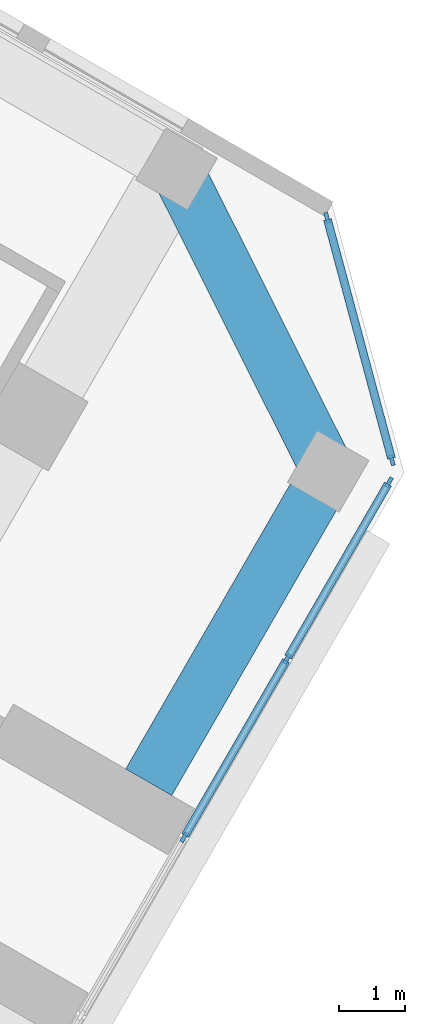
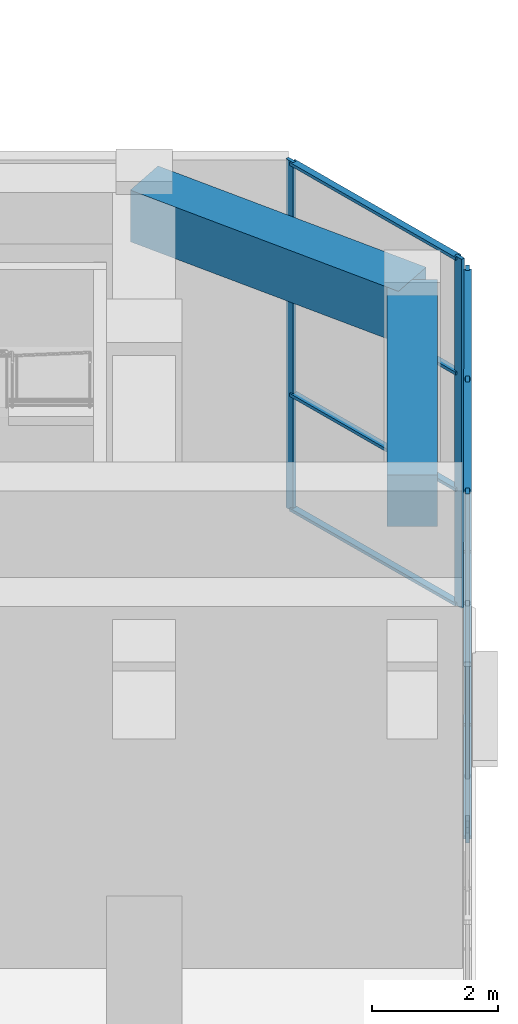
# One storey, part 8 of 15: 15 members, 2 beams, 2 elements without a shape of their own.
"""IFC4 building model written with IfcOpenShell, lengths in metres."""

from ifc_helpers import new_model, si_unit, direction, frame, origin, origin_2d, place, context, subcontext, project, spatial, rectangle, extrude, material, material_profile, profile_set, type_object, element, aggregate, save


model = new_model("IFC4")

# Units and contexts
model_context = context("Model", 3, precision=1e-05, world=origin(), true_north=direction((0.0, 1.0)))
body_context = subcontext(model_context, "Body", "Model", "MODEL_VIEW")
ifc_project = project(units=[si_unit("LENGTHUNIT", "METRE"), si_unit("AREAUNIT", "SQUARE_METRE"), si_unit("VOLUMEUNIT", "CUBIC_METRE"), si_unit("PLANEANGLEUNIT", "RADIAN"), si_unit("MASSUNIT", "GRAM", prefix="KILO")], contexts=[model_context])

# Site, building, storey
site_placement = place(None, origin())
site = spatial("IfcSite", under=ifc_project, at=site_placement, CompositionType="ELEMENT")
building_placement = place(site_placement, origin())
building = spatial("IfcBuilding", under=site, at=building_placement, Name="Kosmar Iwan School Tower", CompositionType="ELEMENT")
storey_placement = place(building_placement, frame((0.0, 0.0, 186.800048828125)))
storey = spatial("IfcBuildingStorey", under=building, at=storey_placement, Name="L47", CompositionType="ELEMENT", Elevation=186.800048828125)

# Curtain wall, members
ifc_material_1 = material(Name="Black aluminium louvres and glass", Category="aluminium")
curtain_wall_type_1 = type_object("IfcCurtainWallType", Name="Plant floor louvred curtain wall", PredefinedType="USERDEFINED", material=ifc_material_1)
curtain_wall_1_placement = place(storey_placement, origin())
curtain_wall_1 = element("IfcCurtainWall", 1, at=curtain_wall_1_placement, inside=storey, type_object=curtain_wall_type_1, Name="Curtain wall L47-F03", ObjectType="LOUVRED CURTAIN WALL", PredefinedType="USERDEFINED")
ifc_material_2 = material(Name="Black anodised aluminium", Category="aluminium")
ifc_material_profile_1 = material_profile(ifc_material_2, rectangle(XDim=0.06005859375, YDim=0.159912109375, at=origin_2d()), Name="MULLION 60x160")
ifc_profile_set_1 = profile_set([ifc_material_profile_1], Name="Black anodised aluminium")
member_type_1 = type_object("IfcMemberType", Name="Mullion 60x160", PredefinedType="MULLION", material=ifc_profile_set_1)
member_1_placement = place(storey_placement, frame((30.631103515625, -15.8955078125, 0.0), z_axis=(0.0, 0.0, 1.0), x_axis=(-0.866025405329, 0.499999997325, 0.0)))
member_1 = element("IfcMember", 2, at=member_1_placement, type_object=member_type_1, Name="CW4 mullion 4", PredefinedType="MULLION", context=body_context, shape_type="SweptSolid", body=[
    extrude(rectangle(XDim=0.06005859375, YDim=0.159912109375, at=origin_2d()), origin(), (0.0, 0.0, 1.0), 6.75),
])
member_2_placement = place(storey_placement, frame((32.1806640625, -13.21142578125, 0.0), z_axis=(0.0, 0.0, 1.0), x_axis=(-0.866025405329, 0.499999997325, 0.0)))
member_2 = element("IfcMember", 3, at=member_2_placement, type_object=member_type_1, Name="CW4 mullion 5", PredefinedType="MULLION", context=body_context, shape_type="SweptSolid", body=[
    extrude(rectangle(XDim=0.06005859375, YDim=0.159912109375, at=origin_2d()), origin(), (0.0, 0.0, 1.0), 6.75),
])
member_3_placement = place(storey_placement, frame((33.71533203125, -10.55322265625, 0.0), z_axis=(0.0, 0.0, 1.0), x_axis=(-0.866025405329, 0.499999997325, 0.0)))
member_3 = element("IfcMember", 4, at=member_3_placement, type_object=member_type_1, Name="CW4 mullion 6", PredefinedType="MULLION", context=body_context, shape_type="SweptSolid", body=[
    extrude(rectangle(XDim=0.06005859375, YDim=0.159912109375, at=origin_2d()), origin(), (0.0, 0.0, 1.0), 6.75),
])

ifc_material_3 = material(Name="Dark glass in black aluminium frame", Category="aluminium")
curtain_wall_type_2 = type_object("IfcCurtainWallType", Name="Chamfer curtain wall dark glass", PredefinedType="USERDEFINED", material=ifc_material_3)
curtain_wall_2_placement = place(storey_placement, origin())
curtain_wall_2 = element("IfcCurtainWall", 5, at=curtain_wall_2_placement, inside=storey, type_object=curtain_wall_type_2, Name="Curtain wall L47-F04", ObjectType="FACETED CURTAIN WALL", PredefinedType="USERDEFINED")
member_4_placement = place(storey_placement, frame((33.7587890625, -10.2236328125, 0.0), z_axis=(0.0, 0.0, 1.0), x_axis=(-0.965925875495, -0.258818861462, 0.0)))
member_4 = element("IfcMember", 6, at=member_4_placement, type_object=member_type_1, Name="CW2 mullion 1", PredefinedType="MULLION", context=body_context, shape_type="SweptSolid", body=[
    extrude(rectangle(XDim=0.06005859375, YDim=0.159912109375, at=origin_2d()), origin(), (0.0, 0.0, 1.0), 6.75),
])
member_5_placement = place(storey_placement, frame((32.78076171875, -6.5732421875, 0.0), z_axis=(0.0, 0.0, 1.0), x_axis=(-0.965925875495, -0.258818861462, 0.0)))
member_5 = element("IfcMember", 7, at=member_5_placement, type_object=member_type_1, Name="CW2 mullion 2", PredefinedType="MULLION", context=body_context, shape_type="SweptSolid", body=[
    extrude(rectangle(XDim=0.06005859375, YDim=0.159912109375, at=origin_2d()), origin(), (0.0, 0.0, 1.0), 6.75),
])

# Beams
ifc_material_4 = material(Name="Concrete C50/60", Category="concrete")
ifc_material_profile_2 = material_profile(ifc_material_4, rectangle(XDim=0.800048828125, YDim=1.0, at=origin_2d()), Name="RC 800x1000")
ifc_profile_set_2 = profile_set([ifc_material_profile_2], Name="Concrete C50/60")
beam_type = type_object("IfcBeamType", Name="RC tip beam 800x1000", PredefinedType="BEAM", material=ifc_profile_set_2)
beam_1_placement = place(storey_placement, frame((30.517822265625, -5.841552734375, 6.25), z_axis=(0.44809604203, -0.893985423325, 0.0), x_axis=(0.893985423325, 0.44809604203, 0.0)))
element("IfcBeam", 8, at=beam_1_placement, inside=storey, type_object=beam_type, Name="Tip beam CL", PredefinedType="BEAM", context=body_context, shape_type="SweptSolid", body=[
    extrude(rectangle(XDim=0.800048828125, YDim=1.0, at=origin_2d()), origin(), (0.0, 0.0, 1.0), 5.08935546875),
])
beam_2_placement = place(storey_placement, frame((32.79833984375, -10.391357421875, 6.25), z_axis=(-0.499995103361, -0.866028230842, 0.0), x_axis=(0.866028230842, -0.499995103361, 0.0)))
element("IfcBeam", 9, at=beam_2_placement, inside=storey, type_object=beam_type, Name="Tip beam CL to corridor wall", PredefinedType="BEAM", context=body_context, shape_type="SweptSolid", body=[
    extrude(rectangle(XDim=0.800048828125, YDim=1.0, at=origin_2d()), origin(), (0.0, 0.0, 1.0), 5.39990234375),
])

# Member
ifc_material_5 = material(Name="Black anodised aluminium", Category="aluminium")
ifc_material_profile_3 = material_profile(ifc_material_5, rectangle(XDim=0.1201171875, YDim=0.06005859375, at=origin_2d()), Name="TRANSOM 60x120")
ifc_profile_set_3 = profile_set([ifc_material_profile_3], Name="Black anodised aluminium")
member_type_2 = type_object("IfcMemberType", Name="Transom 60x120", PredefinedType="USERDEFINED", material=ifc_profile_set_3)
member_6_placement = place(storey_placement, frame((30.64599609375, -15.869384765625, 0.030029296875), z_axis=(0.500035348339, 0.866004994449, 0.0), x_axis=(-0.866004994449, 0.500035348339, 0.0)))
member_6 = element("IfcMember", 10, at=member_6_placement, type_object=member_type_2, Name="CW4 transom 4.1", ObjectType="TRANSOM", PredefinedType="USERDEFINED", context=body_context, shape_type="SweptSolid", body=[
    extrude(rectangle(XDim=0.1201171875, YDim=0.06005859375, at=origin_2d()), origin(), (0.0, 0.0, 1.0), 3.039306640625),
])

member_7_placement = place(storey_placement, frame((30.64599609375, -15.869384765625, 3.375), z_axis=(0.500035348339, 0.866004994449, 0.0), x_axis=(-0.866004994449, 0.500035348339, 0.0)))
member_7 = element("IfcMember", 11, at=member_7_placement, type_object=member_type_2, Name="CW4 transom 4.2", ObjectType="TRANSOM", PredefinedType="USERDEFINED", context=body_context, shape_type="SweptSolid", body=[
    extrude(rectangle(XDim=0.1201171875, YDim=0.06005859375, at=origin_2d()), origin(), (0.0, 0.0, 1.0), 3.039306640625),
])

member_8_placement = place(storey_placement, frame((30.64599609375, -15.869384765625, 6.719970703125), z_axis=(0.500035348339, 0.866004994449, 0.0), x_axis=(-0.866004994449, 0.500035348339, 0.0)))
member_8 = element("IfcMember", 12, at=member_8_placement, type_object=member_type_2, Name="CW4 transom 4.3", ObjectType="TRANSOM", PredefinedType="USERDEFINED", context=body_context, shape_type="SweptSolid", body=[
    extrude(rectangle(XDim=0.1201171875, YDim=0.06005859375, at=origin_2d()), origin(), (0.0, 0.0, 1.0), 3.039306640625),
])

member_9_placement = place(storey_placement, frame((32.19580078125, -13.185302734375, 0.030029296875), z_axis=(0.500022102064, 0.866012642776, 0.0), x_axis=(-0.866012642776, 0.500022102064, 0.0)))
member_9 = element("IfcMember", 13, at=member_9_placement, type_object=member_type_2, Name="CW4 transom 5.1", ObjectType="TRANSOM", PredefinedType="USERDEFINED", context=body_context, shape_type="SweptSolid", body=[
    extrude(rectangle(XDim=0.1201171875, YDim=0.06005859375, at=origin_2d()), origin(), (0.0, 0.0, 1.0), 3.009033203125),
])

member_10_placement = place(storey_placement, frame((32.19580078125, -13.185302734375, 3.375), z_axis=(0.500022102064, 0.866012642776, 0.0), x_axis=(-0.866012642776, 0.500022102064, 0.0)))
member_10 = element("IfcMember", 14, at=member_10_placement, type_object=member_type_2, Name="CW4 transom 5.2", ObjectType="TRANSOM", PredefinedType="USERDEFINED", context=body_context, shape_type="SweptSolid", body=[
    extrude(rectangle(XDim=0.1201171875, YDim=0.06005859375, at=origin_2d()), origin(), (0.0, 0.0, 1.0), 3.009033203125),
])

member_11_placement = place(storey_placement, frame((32.19580078125, -13.185302734375, 6.719970703125), z_axis=(0.500022102064, 0.866012642776, 0.0), x_axis=(-0.866012642776, 0.500022102064, 0.0)))
member_11 = element("IfcMember", 15, at=member_11_placement, type_object=member_type_2, Name="CW4 transom 5.3", ObjectType="TRANSOM", PredefinedType="USERDEFINED", context=body_context, shape_type="SweptSolid", body=[
    extrude(rectangle(XDim=0.1201171875, YDim=0.06005859375, at=origin_2d()), origin(), (0.0, 0.0, 1.0), 3.009033203125),
])

aggregate(curtain_wall_1, [member_1, member_2, member_3, member_6, member_7, member_8, member_9, member_10, member_11])

member_12_placement = place(storey_placement, frame((33.7509765625, -10.194580078125, 0.030029296875), z_axis=(-0.258843273983, 0.965919333854, 0.0), x_axis=(-0.965919333854, -0.258843273983, 0.0)))
member_12 = element("IfcMember", 16, at=member_12_placement, type_object=member_type_2, Name="CW2 transom 1.1", ObjectType="TRANSOM", PredefinedType="USERDEFINED", context=body_context, shape_type="SweptSolid", body=[
    extrude(rectangle(XDim=0.1201171875, YDim=0.06005859375, at=origin_2d()), origin(), (0.0, 0.0, 1.0), 3.718994140625),
])

member_13_placement = place(storey_placement, frame((33.7509765625, -10.194580078125, 2.25), z_axis=(-0.258843273983, 0.965919333854, 0.0), x_axis=(-0.965919333854, -0.258843273983, 0.0)))
member_13 = element("IfcMember", 17, at=member_13_placement, type_object=member_type_2, Name="CW2 transom 1.2", ObjectType="TRANSOM", PredefinedType="USERDEFINED", context=body_context, shape_type="SweptSolid", body=[
    extrude(rectangle(XDim=0.1201171875, YDim=0.06005859375, at=origin_2d()), origin(), (0.0, 0.0, 1.0), 3.718994140625),
])

member_14_placement = place(storey_placement, frame((33.7509765625, -10.194580078125, 4.5), z_axis=(-0.258843273983, 0.965919333854, 0.0), x_axis=(-0.965919333854, -0.258843273983, 0.0)))
member_14 = element("IfcMember", 18, at=member_14_placement, type_object=member_type_2, Name="CW2 transom 1.3", ObjectType="TRANSOM", PredefinedType="USERDEFINED", context=body_context, shape_type="SweptSolid", body=[
    extrude(rectangle(XDim=0.1201171875, YDim=0.06005859375, at=origin_2d()), origin(), (0.0, 0.0, 1.0), 3.718994140625),
])

member_15_placement = place(storey_placement, frame((33.7509765625, -10.194580078125, 6.719970703125), z_axis=(-0.258843273983, 0.965919333854, 0.0), x_axis=(-0.965919333854, -0.258843273983, 0.0)))
member_15 = element("IfcMember", 19, at=member_15_placement, type_object=member_type_2, Name="CW2 transom 1.4", ObjectType="TRANSOM", PredefinedType="USERDEFINED", context=body_context, shape_type="SweptSolid", body=[
    extrude(rectangle(XDim=0.1201171875, YDim=0.06005859375, at=origin_2d()), origin(), (0.0, 0.0, 1.0), 3.718994140625),
])

aggregate(curtain_wall_2, [member_4, member_5, member_12, member_13, member_14, member_15])

save(model, "model.ifc")
